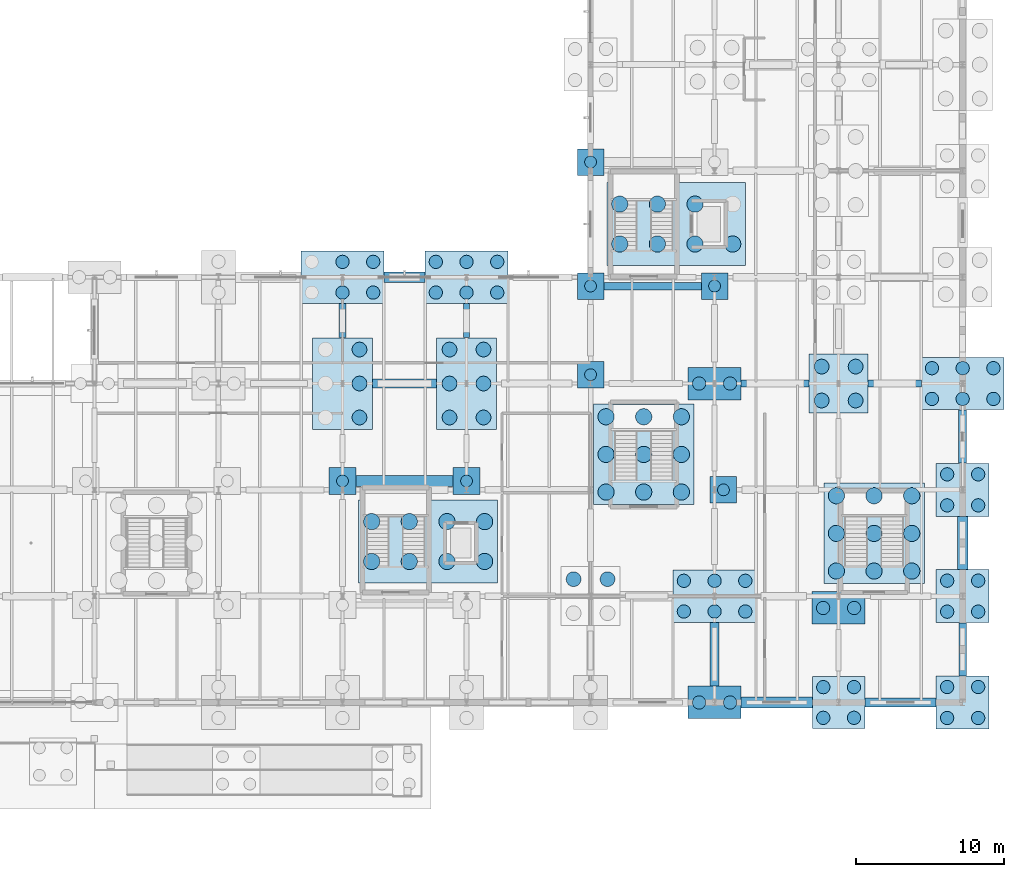
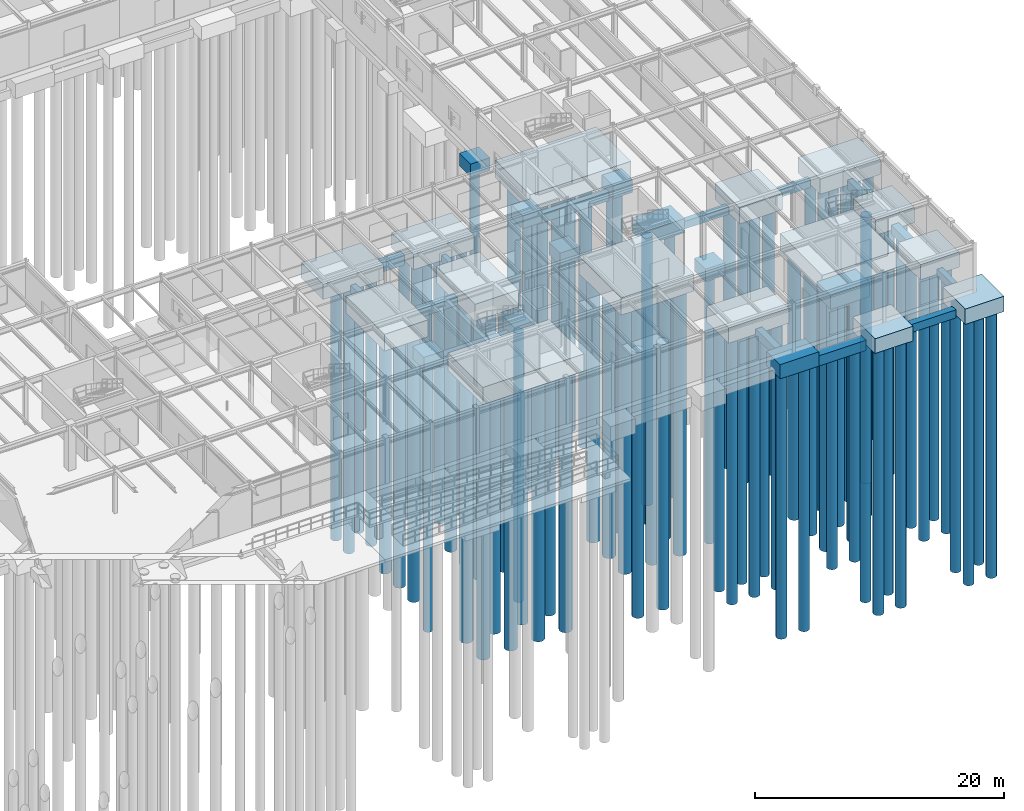
# One storey, part 6 of 93: 99 piles, 39 footings.
"""IFC4 building model written with IfcOpenShell, lengths in metres."""

from ifc_helpers import new_model, si_unit, derived_unit, direction, frame, origin, origin_2d, place, context, subcontext, project, spatial, rectangle, circle, extrude, material, material_profile, profile_set, type_object, element, save


model = new_model("IFC4")

# Units and contexts
model_context = context("Model", 3, precision=1e-05, world=origin(), true_north=direction((0.0, 1.0)))
body_context = subcontext(model_context, "Body", "Model", "MODEL_VIEW")
ifc_project = project(units=[si_unit("LENGTHUNIT", "METRE"), si_unit("AREAUNIT", "SQUARE_METRE"), si_unit("VOLUMEUNIT", "CUBIC_METRE"), si_unit("PLANEANGLEUNIT", "RADIAN"), si_unit("MASSUNIT", "GRAM", prefix="KILO"), derived_unit("THERMALTRANSMITTANCEUNIT", [(si_unit("MASSUNIT", "GRAM", prefix="KILO"), 1), (si_unit("TIMEUNIT", "SECOND"), -3), (si_unit("THERMODYNAMICTEMPERATUREUNIT", "KELVIN"), -1)])], contexts=[model_context])

# Site, building, storey
site_placement = place(None, origin())
site = spatial("IfcSite", under=ifc_project, at=site_placement, CompositionType="ELEMENT")
building_placement = place(site_placement, origin())
building = spatial("IfcBuilding", under=site, at=building_placement, Name="Kharveza Railside Sports Centre", CompositionType="ELEMENT")
storey_placement = place(building_placement, origin())
storey = spatial("IfcBuildingStorey", under=building, at=storey_placement, Name="L00", CompositionType="ELEMENT", Elevation=0.0)

# Footings
ifc_material = material(Name="Concrete C35/45", Category="concrete")
ifc_material_profile_1 = material_profile(ifc_material, rectangle(XDim=0.60009765625, YDim=0.800048828125, at=origin_2d()), Name="GB 600x800")
ifc_profile_set_1 = profile_set([ifc_material_profile_1], Name="Concrete C35/45")
footing_type_1 = type_object("IfcFootingType", Name="FT-GB01", PredefinedType="FOOTING_BEAM", material=ifc_profile_set_1)
footing_1_placement = place(storey_placement, frame((128.028076171875, 28.800048828125, -1.800048828125), z_axis=(1.0, 0.0, 0.0), x_axis=(0.0, 1.0, 0.0)))
element("IfcFooting", 1, at=footing_1_placement, inside=storey, type_object=footing_type_1, Name="GB-EW-081", PredefinedType="FOOTING_BEAM", context=body_context, shape_type="SweptSolid", body=[
    extrude(rectangle(XDim=0.60009765625, YDim=0.800048828125, at=origin_2d()), origin(), (0.0, 0.0, 1.0), 4.343994140625),
])
footing_2_placement = place(storey_placement, frame((151.199951171875, 8.302978515625, -1.800048828125), z_axis=(0.0, 1.0, 0.0), x_axis=(-1.0, 0.0, 0.0)))
element("IfcFooting", 2, at=footing_2_placement, inside=storey, type_object=footing_type_1, Name="GB-NS-111", PredefinedType="FOOTING_BEAM", context=body_context, shape_type="SweptSolid", body=[
    extrude(rectangle(XDim=0.60009765625, YDim=0.800048828125, at=origin_2d()), origin(), (0.0, 0.0, 1.0), 4.319091796875),
])
footing_3_placement = place(storey_placement, frame((161.3779296875, 7.199951171875, -1.800048828125), z_axis=(1.0, 0.0, 0.0), x_axis=(0.0, 1.0, 0.0)))
element("IfcFooting", 3, at=footing_3_placement, inside=storey, type_object=footing_type_1, Name="GB-EW-121", PredefinedType="FOOTING_BEAM", context=body_context, shape_type="SweptSolid", body=[
    extrude(rectangle(XDim=0.60009765625, YDim=0.800048828125, at=origin_2d()), origin(), (0.0, 0.0, 1.0), 4.819091796875),
])
ifc_material_profile_2 = material_profile(ifc_material, rectangle(XDim=0.5, YDim=0.75, at=origin_2d()), Name="GB 500x750")
ifc_profile_set_2 = profile_set([ifc_material_profile_2], Name="Concrete C35/45")
footing_type_2 = type_object("IfcFootingType", Name="FT-GB02", PredefinedType="FOOTING_BEAM", material=ifc_profile_set_2)
footing_4_placement = place(storey_placement, frame((126.0, 31.903076171875, -1.77490234375), z_axis=(0.0, 1.0, 0.0), x_axis=(-1.0, 0.0, 0.0)))
element("IfcFooting", 4, at=footing_4_placement, inside=storey, type_object=footing_type_2, Name="GB-NS-082", PredefinedType="FOOTING_BEAM", context=body_context, shape_type="SweptSolid", body=[
    extrude(rectangle(XDim=0.5, YDim=0.75, at=origin_2d()), origin(), (0.0, 0.0, 1.0), 2.31884765625),
])
footing_5_placement = place(storey_placement, frame((153.0029296875, 28.800048828125, -1.77490234375), z_axis=(1.0, 0.0, 0.0), x_axis=(0.0, 1.0, 0.0)))
element("IfcFooting", 5, at=footing_5_placement, inside=storey, type_object=footing_type_2, Name="GB-EW-112", PredefinedType="FOOTING_BEAM", context=body_context, shape_type="SweptSolid", body=[
    extrude(rectangle(XDim=0.5, YDim=0.75, at=origin_2d()), origin(), (0.0, 0.0, 1.0), 4.593994140625),
])
for number, where, z_axis, x_axis, name in (
    (6, (161.60302734375, 28.800048828125, -1.77490234375), (1.0, 0.0, 0.0), (0.0, 1.0, 0.0), "GB-EW-122"),
    (7, (168.0, 9.0029296875, -1.77490234375), (0.0, 1.0, 0.0), (-1.0, 0.0, 0.0), "GB-NS-142"),
):
    element("IfcFooting", number, at=place(storey_placement, frame(where, z_axis=z_axis, x_axis=x_axis)), inside=storey, type_object=footing_type_2, Name=name, PredefinedType="FOOTING_BEAM", context=body_context, shape_type="SweptSolid", body=[
        extrude(rectangle(XDim=0.5, YDim=0.75, at=origin_2d()), origin(), (0.0, 0.0, 1.0), 3.593994140625),
    ])
ifc_material_profile_3 = material_profile(ifc_material, rectangle(XDim=0.699951171875, YDim=0.89990234375, at=origin_2d()), Name="GB 700x900")
ifc_profile_set_3 = profile_set([ifc_material_profile_3], Name="Concrete C35/45")
footing_type_3 = type_object("IfcFootingType", Name="FT-GB03", PredefinedType="FOOTING_BEAM", material=ifc_profile_set_3)
footing_6_placement = place(storey_placement, frame((128.802978515625, 36.0, -1.85009765625), z_axis=(1.0, 0.0, 0.0), x_axis=(0.0, 1.0, 0.0)))
element("IfcFooting", 8, at=footing_6_placement, inside=storey, type_object=footing_type_3, Name="GB-EW-083", PredefinedType="FOOTING_BEAM", context=body_context, shape_type="SweptSolid", body=[
    extrude(rectangle(XDim=0.699951171875, YDim=0.89990234375, at=origin_2d()), origin(), (0.0, 0.0, 1.0), 2.7939453125),
])
footing_7_placement = place(storey_placement, frame((168.0, 16.202880859375, -1.85009765625), z_axis=(0.0, 1.0, 0.0), x_axis=(-1.0, 0.0, 0.0)))
element("IfcFooting", 9, at=footing_7_placement, inside=storey, type_object=footing_type_3, Name="GB-NS-143", PredefinedType="FOOTING_BEAM", context=body_context, shape_type="SweptSolid", body=[
    extrude(rectangle(XDim=0.699951171875, YDim=0.89990234375, at=origin_2d()), origin(), (0.0, 0.0, 1.0), 3.59423828125),
])
ifc_material_profile_4 = material_profile(ifc_material, rectangle(XDim=0.550048828125, YDim=0.85009765625, at=origin_2d()), Name="GB 550x850")
ifc_profile_set_4 = profile_set([ifc_material_profile_4], Name="Concrete C35/45")
footing_type_4 = type_object("IfcFootingType", Name="FT-GB04", PredefinedType="FOOTING_BEAM", material=ifc_profile_set_4)
footing_8_placement = place(storey_placement, frame((168.0, 23.403076171875, -1.824951171875), z_axis=(0.0, 1.0, 0.0), x_axis=(-1.0, 0.0, 0.0)))
element("IfcFooting", 10, at=footing_8_placement, inside=storey, type_object=footing_type_4, Name="GB-NS-144", PredefinedType="FOOTING_BEAM", context=body_context, shape_type="SweptSolid", body=[
    extrude(rectangle(XDim=0.550048828125, YDim=0.85009765625, at=origin_2d()), origin(), (0.0, 0.0, 1.0), 3.618896484375),
])
ifc_material_profile_5 = material_profile(ifc_material, rectangle(XDim=0.5, YDim=0.85009765625, at=origin_2d()), Name="GB 500x850")
ifc_profile_set_5 = profile_set([ifc_material_profile_5], Name="Concrete C35/45")
footing_type_5 = type_object("IfcFootingType", Name="FT-GB07", PredefinedType="FOOTING_BEAM", material=ifc_profile_set_5)
footing_9_placement = place(storey_placement, frame((143.702880859375, 35.39990234375, -1.824951171875), z_axis=(1.0, 0.0, 0.0), x_axis=(0.0, 1.0, 0.0)))
element("IfcFooting", 11, at=footing_9_placement, inside=storey, type_object=footing_type_5, Name="GB-EW-097", PredefinedType="FOOTING_BEAM", context=body_context, shape_type="SweptSolid", body=[
    extrude(rectangle(XDim=0.5, YDim=0.85009765625, at=origin_2d()), origin(), (0.0, 0.0, 1.0), 6.59423828125),
])
ifc_material_profile_6 = material_profile(ifc_material, rectangle(XDim=0.39990234375, YDim=0.64990234375, at=origin_2d()), Name="GB 400x650")
ifc_profile_set_6 = profile_set([ifc_material_profile_6], Name="Concrete C35/45")
footing_type_6 = type_object("IfcFootingType", Name="FT-GB09", PredefinedType="FOOTING_BEAM", material=ifc_profile_set_6)
footing_10_placement = place(storey_placement, frame((134.39990234375, 31.903076171875, -1.72509765625), z_axis=(0.0, 1.0, 0.0), x_axis=(-1.0, 0.0, 0.0)))
element("IfcFooting", 12, at=footing_10_placement, inside=storey, type_object=footing_type_6, Name="GB-NS-089", PredefinedType="FOOTING_BEAM", context=body_context, shape_type="SweptSolid", body=[
    extrude(rectangle(XDim=0.39990234375, YDim=0.64990234375, at=origin_2d()), origin(), (0.0, 0.0, 1.0), 2.31884765625),
])
ifc_material_profile_7 = material_profile(ifc_material, rectangle(XDim=0.75, YDim=1.0, at=origin_2d()), Name="GB 750x1000")
ifc_profile_set_7 = profile_set([ifc_material_profile_7], Name="Concrete C35/45")
footing_type_7 = type_object("IfcFootingType", Name="FT-GB10", PredefinedType="FOOTING_BEAM", material=ifc_profile_set_7)
footing_11_placement = place(storey_placement, frame((126.903076171875, 22.199951171875, -1.89990234375), z_axis=(1.0, 0.0, 0.0), x_axis=(0.0, 1.0, 0.0)))
element("IfcFooting", 13, at=footing_11_placement, inside=storey, type_object=footing_type_7, Name="GB-EW-080", PredefinedType="FOOTING_BEAM", context=body_context, shape_type="SweptSolid", body=[
    extrude(rectangle(XDim=0.75, YDim=1.0, at=origin_2d()), origin(), (0.0, 0.0, 1.0), 6.593994140625),
])
footing_12_placement = place(storey_placement, frame((153.0029296875, 7.199951171875, -1.89990234375), z_axis=(1.0, 0.0, 0.0), x_axis=(0.0, 1.0, 0.0)))
element("IfcFooting", 14, at=footing_12_placement, inside=storey, type_object=footing_type_7, Name="GB-EW-110", PredefinedType="FOOTING_BEAM", context=body_context, shape_type="SweptSolid", body=[
    extrude(rectangle(XDim=0.75, YDim=1.0, at=origin_2d()), origin(), (0.0, 0.0, 1.0), 4.819091796875),
])
footing_type_8 = type_object("IfcFootingType", Name="FT-PC02", PredefinedType="PILE_CAP", material=ifc_material)
for number, where, z_axis, x_axis, name in (
    (15, (151.199951171875, 7.199951171875, -1.820068359375), (0.0, 0.0, 1.0), (1.0, 0.0, 0.0), "FCAP-GRD-102"),
    (16, (151.199951171875, 28.800048828125, -1.820068359375), (0.0, 0.0, 1.0), (1.0, 0.0, 0.0), "FCAP-GRD-105"),
    (17, (159.60009765625, 13.60009765625, -1.820068359375), (0.0, 0.0, 1.0), (1.0, 0.0, 0.0), "FCAP-GRD-118"),
):
    element("IfcFooting", number, at=place(storey_placement, frame(where, z_axis=z_axis, x_axis=x_axis)), inside=storey, type_object=footing_type_8, Name=name, PredefinedType="PILE_CAP", context=body_context, shape_type="SweptSolid", body=[
        extrude(rectangle(XDim=3.60009765625, YDim=2.199951171875, at=origin_2d()), origin(), (0.0, 0.0, 1.0), 1.39990234375),
    ])
footing_type_9 = type_object("IfcFootingType", Name="FT-PC04", PredefinedType="PILE_CAP", material=ifc_material)
for number, where, z_axis, x_axis, name in (
    (18, (168.0, 7.199951171875, -1.919921875), (0.0, 0.0, 1.0), (1.0, 0.0, 0.0), "FCAP-GRD-132"),
    (19, (168.0, 14.39990234375, -1.919921875), (0.0, 0.0, 1.0), (1.0, 0.0, 0.0), "FCAP-GRD-133"),
    (20, (168.0, 21.60009765625, -1.919921875), (0.0, 0.0, 1.0), (1.0, 0.0, 0.0), "FCAP-GRD-134"),
):
    element("IfcFooting", number, at=place(storey_placement, frame(where, z_axis=z_axis, x_axis=x_axis)), inside=storey, type_object=footing_type_9, Name=name, PredefinedType="PILE_CAP", context=body_context, shape_type="SweptSolid", body=[
        extrude(rectangle(XDim=3.60009765625, YDim=3.60009765625, at=origin_2d()), origin(), (0.0, 0.0, 1.0), 1.5),
    ])
footing_type_10 = type_object("IfcFootingType", Name="FT-PC05", PredefinedType="PILE_CAP", material=ifc_material)
footing_13_placement = place(storey_placement, frame((159.60009765625, 28.800048828125, -2.02001953125), z_axis=(0.0, 0.0, 1.0), x_axis=(1.0, 0.0, 0.0)))
element("IfcFooting", 21, at=footing_13_placement, inside=storey, type_object=footing_type_10, Name="FCAP-GRD-120", PredefinedType="PILE_CAP", context=body_context, shape_type="SweptSolid", body=[
    extrude(rectangle(XDim=4.0, YDim=4.0, at=origin_2d()), origin(), (0.0, 0.0, 1.0), 1.60009765625),
])
footing_type_11 = type_object("IfcFootingType", Name="FT-PC07", PredefinedType="PILE_CAP", material=ifc_material)
for number, where, z_axis, x_axis, name in (
    (22, (126.0, 28.800048828125, -2.070068359375), (0.0, 0.0, 1.0), (1.0, 0.0, 0.0), "FCAP-GRD-074"),
    (23, (134.39990234375, 28.800048828125, -2.070068359375), (0.0, 0.0, 1.0), (1.0, 0.0, 0.0), "FCAP-GRD-082"),
):
    element("IfcFooting", number, at=place(storey_placement, frame(where, z_axis=z_axis, x_axis=x_axis)), inside=storey, type_object=footing_type_11, Name=name, PredefinedType="PILE_CAP", context=body_context, shape_type="SweptSolid", body=[
        extrude(rectangle(XDim=4.050048828125, YDim=6.199951171875, at=origin_2d()), origin(), (0.0, 0.0, 1.0), 1.64990234375),
    ])
footing_type_12 = type_object("IfcFootingType", Name="FT-PC08", PredefinedType="PILE_CAP", material=ifc_material)
for number, where, z_axis, x_axis, name in (
    (24, (146.39990234375, 24.0, -2.1201171875), (0.0, 0.0, 1.0), (1.0, 0.0, 0.0), "FCAP-CORE-05"),
    (25, (162.0, 18.64990234375, -2.1201171875), (0.0, 0.0, 1.0), (1.0, 0.0, 0.0), "FCAP-CORE-11"),
):
    element("IfcFooting", number, at=place(storey_placement, frame(where, z_axis=z_axis, x_axis=x_axis)), inside=storey, type_object=footing_type_12, Name=name, PredefinedType="PILE_CAP", context=body_context, shape_type="SweptSolid", body=[
        extrude(rectangle(XDim=6.800048828125, YDim=6.800048828125, at=origin_2d()), origin(), (0.0, 0.0, 1.0), 1.699951171875),
    ])
footing_type_13 = type_object("IfcFootingType", Name="FT-PC09", PredefinedType="PILE_CAP", material=ifc_material)
for number, where, z_axis, x_axis, name in (
    (26, (148.60009765625, 39.60009765625, -2.1201171875), (0.0, 0.0, 1.0), (1.0, 0.0, 0.0), "FCAP-CORE-01"),
    (27, (131.800048828125, 18.10009765625, -2.1201171875), (0.0, 0.0, 1.0), (1.0, 0.0, 0.0), "FCAP-CORE-03"),
):
    element("IfcFooting", number, at=place(storey_placement, frame(where, z_axis=z_axis, x_axis=x_axis)), inside=storey, type_object=footing_type_13, Name=name, PredefinedType="PILE_CAP", context=body_context, shape_type="SweptSolid", body=[
        extrude(rectangle(XDim=9.39990234375, YDim=5.60009765625, at=origin_2d()), origin(), (0.0, 0.0, 1.0), 1.699951171875),
    ])
footing_type_14 = type_object("IfcFootingType", Name="FT-PC11", PredefinedType="PILE_CAP", material=ifc_material)
footing_14_placement = place(storey_placement, frame((159.60009765625, 7.199951171875, -1.8701171875), z_axis=(0.0, 0.0, 1.0), x_axis=(1.0, 0.0, 0.0)))
element("IfcFooting", 28, at=footing_14_placement, inside=storey, type_object=footing_type_14, Name="FCAP-GRD-117", PredefinedType="PILE_CAP", context=body_context, shape_type="SweptSolid", body=[
    extrude(rectangle(XDim=3.550048828125, YDim=3.550048828125, at=origin_2d()), origin(), (0.0, 0.0, 1.0), 1.449951171875),
])
footing_type_15 = type_object("IfcFootingType", Name="FT-PC12", PredefinedType="PILE_CAP", material=ifc_material)
for number, where, z_axis, x_axis, name in (
    (29, (126.0, 36.0, -1.919921875), (0.0, 0.0, 1.0), (1.0, 0.0, 0.0), "FCAP-GRD-075"),
    (30, (134.39990234375, 36.0, -1.919921875), (0.0, 0.0, 1.0), (1.0, 0.0, 0.0), "FCAP-GRD-083"),
    (31, (151.199951171875, 14.39990234375, -1.919921875), (0.0, 0.0, 1.0), (1.0, 0.0, 0.0), "FCAP-GRD-103"),
    (32, (168.0, 28.800048828125, -1.919921875), (0.0, 0.0, 1.0), (1.0, 0.0, 0.0), "FCAP-GRD-135"),
):
    element("IfcFooting", number, at=place(storey_placement, frame(where, z_axis=z_axis, x_axis=x_axis)), inside=storey, type_object=footing_type_15, Name=name, PredefinedType="PILE_CAP", context=body_context, shape_type="SweptSolid", body=[
        extrude(rectangle(XDim=5.60009765625, YDim=3.550048828125, at=origin_2d()), origin(), (0.0, 0.0, 1.0), 1.5),
    ])
footing_type_16 = type_object("IfcFootingType", Name="FT-PC13", PredefinedType="PILE_CAP", material=ifc_material)
for number, where, z_axis, x_axis, name in (
    (33, (126.0, 22.199951171875, -1.669921875), (0.0, 0.0, 1.0), (1.0, 0.0, 0.0), "FCAP-GRD-073"),
    (34, (134.39990234375, 22.199951171875, -1.669921875), (0.0, 0.0, 1.0), (1.0, 0.0, 0.0), "FCAP-GRD-081"),
    (35, (142.800048828125, 29.39990234375, -1.669921875), (0.0, 0.0, 1.0), (1.0, 0.0, 0.0), "FCAP-GRD-090"),
    (36, (142.800048828125, 35.39990234375, -1.669921875), (0.0, 0.0, 1.0), (1.0, 0.0, 0.0), "FCAP-GRD-091"),
    (37, (142.800048828125, 43.800048828125, -1.669921875), (0.0, 0.0, 1.0), (1.0, 0.0, 0.0), "FCAP-GRD-092"),
    (38, (151.800048828125, 21.60009765625, -1.669921875), (0.0, 0.0, 1.0), (1.0, 0.0, 0.0), "FCAP-GRD-104"),
    (39, (151.199951171875, 35.39990234375, -1.669921875), (0.0, 0.0, 1.0), (1.0, 0.0, 0.0), "FCAP-GRD-106"),
):
    element("IfcFooting", number, at=place(storey_placement, frame(where, z_axis=z_axis, x_axis=x_axis)), inside=storey, type_object=footing_type_16, Name=name, PredefinedType="PILE_CAP", context=body_context, shape_type="SweptSolid", body=[
        extrude(rectangle(XDim=1.800048828125, YDim=1.800048828125, at=origin_2d()), origin(), (0.0, 0.0, 1.0), 1.25),
    ])

# Piles
ifc_material_profile_8 = material_profile(ifc_material, circle(Radius=0.5, at=origin_2d()), Name="PILE D1000")
ifc_profile_set_8 = profile_set([ifc_material_profile_8], Name="Concrete C35/45")
pile_type_1 = type_object("IfcPileType", Name="PL-B1000", PredefinedType="BORED", material=ifc_profile_set_8)
for number, where, z_axis, x_axis, name in (
    (40, (127.14990234375, 26.5, -1.969970703125), (0.0, 0.0, -1.0), (1.0, 0.0, 0.0), "FCAP-GRD-074-P02-PL2"),
    (41, (127.14990234375, 28.800048828125, -1.969970703125), (0.0, 0.0, -1.0), (1.0, 0.0, 0.0), "FCAP-GRD-074-P02-PL4"),
    (42, (127.14990234375, 31.10009765625, -1.969970703125), (0.0, 0.0, -1.0), (1.0, 0.0, 0.0), "FCAP-GRD-074-P02-PL6"),
    (43, (133.25, 26.5, -1.969970703125), (0.0, 0.0, -1.0), (1.0, 0.0, 0.0), "FCAP-GRD-082-P02-PL1"),
    (44, (135.550048828125, 26.5, -1.969970703125), (0.0, 0.0, -1.0), (1.0, 0.0, 0.0), "FCAP-GRD-082-P02-PL2"),
    (45, (133.25, 28.800048828125, -1.969970703125), (0.0, 0.0, -1.0), (1.0, 0.0, 0.0), "FCAP-GRD-082-P02-PL3"),
    (46, (135.550048828125, 28.800048828125, -1.969970703125), (0.0, 0.0, -1.0), (1.0, 0.0, 0.0), "FCAP-GRD-082-P02-PL4"),
    (47, (133.25, 31.10009765625, -1.969970703125), (0.0, 0.0, -1.0), (1.0, 0.0, 0.0), "FCAP-GRD-082-P02-PL5"),
    (48, (135.550048828125, 31.10009765625, -1.969970703125), (0.0, 0.0, -1.0), (1.0, 0.0, 0.0), "FCAP-GRD-082-P02-PL6"),
):
    element("IfcPile", number, at=place(storey_placement, frame(where, z_axis=z_axis, x_axis=x_axis)), inside=storey, type_object=pile_type_1, Name=name, PredefinedType="BORED", context=body_context, shape_type="SweptSolid", body=[
        extrude(circle(Radius=0.5, at=origin_2d()), origin(), (0.0, 0.0, 1.0), 26.030029296875),
    ])
for number, where, z_axis, x_axis, name in (
    (49, (141.64990234375, 15.550048828125, -1.919921875), (0.0, 0.0, -1.0), (1.0, 0.0, 0.0), "FCAP-GRD-088-P02-PL3"),
    (50, (143.949951171875, 15.550048828125, -1.919921875), (0.0, 0.0, -1.0), (1.0, 0.0, 0.0), "FCAP-GRD-088-P02-PL4"),
    (51, (158.449951171875, 27.64990234375, -1.919921875), (0.0, 0.0, -1.0), (1.0, 0.0, 0.0), "FCAP-GRD-120-P02-PL1"),
    (52, (160.75, 27.64990234375, -1.919921875), (0.0, 0.0, -1.0), (1.0, 0.0, 0.0), "FCAP-GRD-120-P02-PL2"),
    (53, (158.449951171875, 29.949951171875, -1.919921875), (0.0, 0.0, -1.0), (1.0, 0.0, 0.0), "FCAP-GRD-120-P02-PL3"),
    (54, (160.75, 29.949951171875, -1.919921875), (0.0, 0.0, -1.0), (1.0, 0.0, 0.0), "FCAP-GRD-120-P02-PL4"),
):
    element("IfcPile", number, at=place(storey_placement, frame(where, z_axis=z_axis, x_axis=x_axis)), inside=storey, type_object=pile_type_1, Name=name, PredefinedType="BORED", context=body_context, shape_type="SweptSolid", body=[
        extrude(circle(Radius=0.5, at=origin_2d()), origin(), (0.0, 0.0, 1.0), 26.080078125),
    ])
ifc_material_profile_9 = material_profile(ifc_material, circle(Radius=0.550048828125, at=origin_2d()), Name="PILE D1100")
ifc_profile_set_9 = profile_set([ifc_material_profile_9], Name="Concrete C35/45")
pile_type_2 = type_object("IfcPileType", Name="PL-B1100", PredefinedType="BORED", material=ifc_profile_set_9)
for number, where, z_axis, x_axis, name in (
    (55, (144.77490234375, 38.25, -2.02001953125), (0.0, 0.0, -1.0), (1.0, 0.0, 0.0), "FCAP-CORE-01-P03-PL1"),
    (56, (147.324951171875, 38.25, -2.02001953125), (0.0, 0.0, -1.0), (1.0, 0.0, 0.0), "FCAP-CORE-01-P03-PL2"),
    (57, (149.875, 38.25, -2.02001953125), (0.0, 0.0, -1.0), (1.0, 0.0, 0.0), "FCAP-CORE-01-P03-PL3"),
    (58, (152.425048828125, 38.25, -2.02001953125), (0.0, 0.0, -1.0), (1.0, 0.0, 0.0), "FCAP-CORE-01-P03-PL4"),
    (59, (144.77490234375, 40.949951171875, -2.02001953125), (0.0, 0.0, -1.0), (1.0, 0.0, 0.0), "FCAP-CORE-01-P03-PL5"),
    (60, (147.324951171875, 40.949951171875, -2.02001953125), (0.0, 0.0, -1.0), (1.0, 0.0, 0.0), "FCAP-CORE-01-P03-PL6"),
    (61, (149.875, 40.949951171875, -2.02001953125), (0.0, 0.0, -1.0), (1.0, 0.0, 0.0), "FCAP-CORE-01-P03-PL7"),
    (62, (127.97509765625, 16.75, -2.02001953125), (0.0, 0.0, -1.0), (1.0, 0.0, 0.0), "FCAP-CORE-03-P03-PL1"),
    (63, (130.52490234375, 16.75, -2.02001953125), (0.0, 0.0, -1.0), (1.0, 0.0, 0.0), "FCAP-CORE-03-P03-PL2"),
    (64, (133.074951171875, 16.75, -2.02001953125), (0.0, 0.0, -1.0), (1.0, 0.0, 0.0), "FCAP-CORE-03-P03-PL3"),
    (65, (135.625, 16.75, -2.02001953125), (0.0, 0.0, -1.0), (1.0, 0.0, 0.0), "FCAP-CORE-03-P03-PL4"),
    (66, (127.97509765625, 19.449951171875, -2.02001953125), (0.0, 0.0, -1.0), (1.0, 0.0, 0.0), "FCAP-CORE-03-P03-PL5"),
    (67, (130.52490234375, 19.449951171875, -2.02001953125), (0.0, 0.0, -1.0), (1.0, 0.0, 0.0), "FCAP-CORE-03-P03-PL6"),
    (68, (133.074951171875, 19.449951171875, -2.02001953125), (0.0, 0.0, -1.0), (1.0, 0.0, 0.0), "FCAP-CORE-03-P03-PL7"),
    (69, (135.625, 19.449951171875, -2.02001953125), (0.0, 0.0, -1.0), (1.0, 0.0, 0.0), "FCAP-CORE-03-P03-PL8"),
    (70, (143.85009765625, 21.449951171875, -2.02001953125), (0.0, 0.0, -1.0), (1.0, 0.0, 0.0), "FCAP-CORE-05-P03-PL1"),
    (71, (146.39990234375, 21.449951171875, -2.02001953125), (0.0, 0.0, -1.0), (1.0, 0.0, 0.0), "FCAP-CORE-05-P03-PL2"),
    (72, (148.949951171875, 21.449951171875, -2.02001953125), (0.0, 0.0, -1.0), (1.0, 0.0, 0.0), "FCAP-CORE-05-P03-PL3"),
    (73, (143.85009765625, 24.0, -2.02001953125), (0.0, 0.0, -1.0), (1.0, 0.0, 0.0), "FCAP-CORE-05-P03-PL4"),
    (74, (146.39990234375, 24.0, -2.02001953125), (0.0, 0.0, -1.0), (1.0, 0.0, 0.0), "FCAP-CORE-05-P03-PL5"),
    (75, (148.949951171875, 24.0, -2.02001953125), (0.0, 0.0, -1.0), (1.0, 0.0, 0.0), "FCAP-CORE-05-P03-PL6"),
    (76, (143.85009765625, 26.550048828125, -2.02001953125), (0.0, 0.0, -1.0), (1.0, 0.0, 0.0), "FCAP-CORE-05-P03-PL7"),
    (77, (146.39990234375, 26.550048828125, -2.02001953125), (0.0, 0.0, -1.0), (1.0, 0.0, 0.0), "FCAP-CORE-05-P03-PL8"),
    (78, (148.949951171875, 26.550048828125, -2.02001953125), (0.0, 0.0, -1.0), (1.0, 0.0, 0.0), "FCAP-CORE-05-P03-PL9"),
    (79, (159.449951171875, 16.10009765625, -2.02001953125), (0.0, 0.0, -1.0), (1.0, 0.0, 0.0), "FCAP-CORE-11-P03-PL1"),
    (80, (162.0, 16.10009765625, -2.02001953125), (0.0, 0.0, -1.0), (1.0, 0.0, 0.0), "FCAP-CORE-11-P03-PL2"),
    (81, (164.550048828125, 16.10009765625, -2.02001953125), (0.0, 0.0, -1.0), (1.0, 0.0, 0.0), "FCAP-CORE-11-P03-PL3"),
    (82, (159.449951171875, 18.64990234375, -2.02001953125), (0.0, 0.0, -1.0), (1.0, 0.0, 0.0), "FCAP-CORE-11-P03-PL4"),
    (83, (162.0, 18.64990234375, -2.02001953125), (0.0, 0.0, -1.0), (1.0, 0.0, 0.0), "FCAP-CORE-11-P03-PL5"),
    (84, (164.550048828125, 18.64990234375, -2.02001953125), (0.0, 0.0, -1.0), (1.0, 0.0, 0.0), "FCAP-CORE-11-P03-PL6"),
    (85, (159.449951171875, 21.199951171875, -2.02001953125), (0.0, 0.0, -1.0), (1.0, 0.0, 0.0), "FCAP-CORE-11-P03-PL7"),
    (86, (162.0, 21.199951171875, -2.02001953125), (0.0, 0.0, -1.0), (1.0, 0.0, 0.0), "FCAP-CORE-11-P03-PL8"),
    (87, (164.550048828125, 21.199951171875, -2.02001953125), (0.0, 0.0, -1.0), (1.0, 0.0, 0.0), "FCAP-CORE-11-P03-PL9"),
):
    element("IfcPile", number, at=place(storey_placement, frame(where, z_axis=z_axis, x_axis=x_axis)), inside=storey, type_object=pile_type_2, Name=name, PredefinedType="BORED", context=body_context, shape_type="SweptSolid", body=[
        extrude(circle(Radius=0.550048828125, at=origin_2d()), origin(), (0.0, 0.0, 1.0), 25.97998046875),
    ])
ifc_material_profile_10 = material_profile(ifc_material, circle(Radius=0.39990234375, at=origin_2d()), Name="PILE D800")
ifc_profile_set_10 = profile_set([ifc_material_profile_10], Name="Concrete C35/45")
pile_type_3 = type_object("IfcPileType", Name="PL-B800", PredefinedType="BORED", material=ifc_profile_set_10)
for number, where, z_axis, x_axis, name in (
    (88, (126.0, 22.199951171875, -1.570068359375), (0.0, 0.0, -1.0), (1.0, 0.0, 0.0), "FCAP-GRD-073-P04-PL1"),
    (89, (134.39990234375, 22.199951171875, -1.570068359375), (0.0, 0.0, -1.0), (1.0, 0.0, 0.0), "FCAP-GRD-081-P04-PL1"),
    (90, (142.800048828125, 29.39990234375, -1.570068359375), (0.0, 0.0, -1.0), (1.0, 0.0, 0.0), "FCAP-GRD-090-P04-PL1"),
    (91, (142.800048828125, 35.39990234375, -1.570068359375), (0.0, 0.0, -1.0), (1.0, 0.0, 0.0), "FCAP-GRD-091-P04-PL1"),
    (92, (142.800048828125, 43.800048828125, -1.570068359375), (0.0, 0.0, -1.0), (1.0, 0.0, 0.0), "FCAP-GRD-092-P04-PL1"),
    (93, (151.800048828125, 21.60009765625, -1.570068359375), (0.0, 0.0, -1.0), (1.0, 0.0, 0.0), "FCAP-GRD-104-P04-PL1"),
    (94, (151.199951171875, 35.39990234375, -1.570068359375), (0.0, 0.0, -1.0), (1.0, 0.0, 0.0), "FCAP-GRD-106-P04-PL1"),
):
    element("IfcPile", number, at=place(storey_placement, frame(where, z_axis=z_axis, x_axis=x_axis)), inside=storey, type_object=pile_type_3, Name=name, PredefinedType="BORED", context=body_context, shape_type="SweptSolid", body=[
        extrude(circle(Radius=0.39990234375, at=origin_2d()), origin(), (0.0, 0.0, 1.0), 26.429931640625),
    ])
ifc_material_profile_11 = material_profile(ifc_material, circle(Radius=0.449951171875, at=origin_2d()), Name="PILE D900")
ifc_profile_set_11 = profile_set([ifc_material_profile_11], Name="Concrete C35/45")
pile_type_4 = type_object("IfcPileType", Name="PL-B900", PredefinedType="BORED", material=ifc_profile_set_11)
for number, where, z_axis, x_axis, name in (
    (95, (126.0, 34.9599609375, -1.820068359375), (0.0, 0.0, -1.0), (1.0, 0.0, 0.0), "FCAP-GRD-075-P01-PL2"),
    (96, (128.080078125, 34.9599609375, -1.820068359375), (0.0, 0.0, -1.0), (1.0, 0.0, 0.0), "FCAP-GRD-075-P01-PL3"),
    (97, (126.0, 37.0400390625, -1.820068359375), (0.0, 0.0, -1.0), (1.0, 0.0, 0.0), "FCAP-GRD-075-P01-PL5"),
    (98, (128.080078125, 37.0400390625, -1.820068359375), (0.0, 0.0, -1.0), (1.0, 0.0, 0.0), "FCAP-GRD-075-P01-PL6"),
    (99, (132.320068359375, 34.9599609375, -1.820068359375), (0.0, 0.0, -1.0), (1.0, 0.0, 0.0), "FCAP-GRD-083-P01-PL1"),
    (100, (134.39990234375, 34.9599609375, -1.820068359375), (0.0, 0.0, -1.0), (1.0, 0.0, 0.0), "FCAP-GRD-083-P01-PL2"),
    (101, (136.47998046875, 34.9599609375, -1.820068359375), (0.0, 0.0, -1.0), (1.0, 0.0, 0.0), "FCAP-GRD-083-P01-PL3"),
    (102, (132.320068359375, 37.0400390625, -1.820068359375), (0.0, 0.0, -1.0), (1.0, 0.0, 0.0), "FCAP-GRD-083-P01-PL4"),
    (103, (134.39990234375, 37.0400390625, -1.820068359375), (0.0, 0.0, -1.0), (1.0, 0.0, 0.0), "FCAP-GRD-083-P01-PL5"),
    (104, (136.47998046875, 37.0400390625, -1.820068359375), (0.0, 0.0, -1.0), (1.0, 0.0, 0.0), "FCAP-GRD-083-P01-PL6"),
):
    element("IfcPile", number, at=place(storey_placement, frame(where, z_axis=z_axis, x_axis=x_axis)), inside=storey, type_object=pile_type_4, Name=name, PredefinedType="BORED", context=body_context, shape_type="SweptSolid", body=[
        extrude(circle(Radius=0.449951171875, at=origin_2d()), origin(), (0.0, 0.0, 1.0), 26.179931640625),
    ])
for number, where, z_axis, x_axis, name in (
    (105, (150.14990234375, 7.199951171875, -1.719970703125), (0.0, 0.0, -1.0), (1.0, 0.0, 0.0), "FCAP-GRD-102-P01-PL1"),
    (106, (152.25, 7.199951171875, -1.719970703125), (0.0, 0.0, -1.0), (1.0, 0.0, 0.0), "FCAP-GRD-102-P01-PL2"),
):
    element("IfcPile", number, at=place(storey_placement, frame(where, z_axis=z_axis, x_axis=x_axis)), inside=storey, type_object=pile_type_4, Name=name, PredefinedType="BORED", context=body_context, shape_type="SweptSolid", body=[
        extrude(circle(Radius=0.449951171875, at=origin_2d()), origin(), (0.0, 0.0, 1.0), 26.280029296875),
    ])
for number, where, z_axis, x_axis, name in (
    (107, (149.1201171875, 13.360107421875, -1.820068359375), (0.0, 0.0, -1.0), (1.0, 0.0, 0.0), "FCAP-GRD-103-P01-PL1"),
    (108, (151.199951171875, 13.360107421875, -1.820068359375), (0.0, 0.0, -1.0), (1.0, 0.0, 0.0), "FCAP-GRD-103-P01-PL2"),
    (109, (153.280029296875, 13.360107421875, -1.820068359375), (0.0, 0.0, -1.0), (1.0, 0.0, 0.0), "FCAP-GRD-103-P01-PL3"),
    (110, (149.1201171875, 15.43994140625, -1.820068359375), (0.0, 0.0, -1.0), (1.0, 0.0, 0.0), "FCAP-GRD-103-P01-PL4"),
    (111, (151.199951171875, 15.43994140625, -1.820068359375), (0.0, 0.0, -1.0), (1.0, 0.0, 0.0), "FCAP-GRD-103-P01-PL5"),
    (112, (153.280029296875, 15.43994140625, -1.820068359375), (0.0, 0.0, -1.0), (1.0, 0.0, 0.0), "FCAP-GRD-103-P01-PL6"),
):
    element("IfcPile", number, at=place(storey_placement, frame(where, z_axis=z_axis, x_axis=x_axis)), inside=storey, type_object=pile_type_4, Name=name, PredefinedType="BORED", context=body_context, shape_type="SweptSolid", body=[
        extrude(circle(Radius=0.449951171875, at=origin_2d()), origin(), (0.0, 0.0, 1.0), 26.179931640625),
    ])
for number, where, z_axis, x_axis, name in (
    (113, (150.14990234375, 28.800048828125, -1.719970703125), (0.0, 0.0, -1.0), (1.0, 0.0, 0.0), "FCAP-GRD-105-P01-PL1"),
    (114, (152.25, 28.800048828125, -1.719970703125), (0.0, 0.0, -1.0), (1.0, 0.0, 0.0), "FCAP-GRD-105-P01-PL2"),
):
    element("IfcPile", number, at=place(storey_placement, frame(where, z_axis=z_axis, x_axis=x_axis)), inside=storey, type_object=pile_type_4, Name=name, PredefinedType="BORED", context=body_context, shape_type="SweptSolid", body=[
        extrude(circle(Radius=0.449951171875, at=origin_2d()), origin(), (0.0, 0.0, 1.0), 26.280029296875),
    ])
for number, where, z_axis, x_axis, name in (
    (115, (158.56005859375, 6.159912109375, -1.77001953125), (0.0, 0.0, -1.0), (1.0, 0.0, 0.0), "FCAP-GRD-117-P01-PL1"),
    (116, (160.639892578125, 6.159912109375, -1.77001953125), (0.0, 0.0, -1.0), (1.0, 0.0, 0.0), "FCAP-GRD-117-P01-PL2"),
    (117, (158.56005859375, 8.239990234375, -1.77001953125), (0.0, 0.0, -1.0), (1.0, 0.0, 0.0), "FCAP-GRD-117-P01-PL3"),
    (118, (160.639892578125, 8.239990234375, -1.77001953125), (0.0, 0.0, -1.0), (1.0, 0.0, 0.0), "FCAP-GRD-117-P01-PL4"),
):
    element("IfcPile", number, at=place(storey_placement, frame(where, z_axis=z_axis, x_axis=x_axis)), inside=storey, type_object=pile_type_4, Name=name, PredefinedType="BORED", context=body_context, shape_type="SweptSolid", body=[
        extrude(circle(Radius=0.449951171875, at=origin_2d()), origin(), (0.0, 0.0, 1.0), 26.22998046875),
    ])
for number, where, z_axis, x_axis, name in (
    (119, (158.550048828125, 13.60009765625, -1.719970703125), (0.0, 0.0, -1.0), (1.0, 0.0, 0.0), "FCAP-GRD-118-P01-PL1"),
    (120, (160.64990234375, 13.60009765625, -1.719970703125), (0.0, 0.0, -1.0), (1.0, 0.0, 0.0), "FCAP-GRD-118-P01-PL2"),
):
    element("IfcPile", number, at=place(storey_placement, frame(where, z_axis=z_axis, x_axis=x_axis)), inside=storey, type_object=pile_type_4, Name=name, PredefinedType="BORED", context=body_context, shape_type="SweptSolid", body=[
        extrude(circle(Radius=0.449951171875, at=origin_2d()), origin(), (0.0, 0.0, 1.0), 26.280029296875),
    ])
for number, where, z_axis, x_axis, name in (
    (121, (166.949951171875, 6.14990234375, -1.820068359375), (0.0, 0.0, -1.0), (1.0, 0.0, 0.0), "FCAP-GRD-132-P01-PL1"),
    (122, (169.050048828125, 6.14990234375, -1.820068359375), (0.0, 0.0, -1.0), (1.0, 0.0, 0.0), "FCAP-GRD-132-P01-PL2"),
    (123, (166.949951171875, 8.25, -1.820068359375), (0.0, 0.0, -1.0), (1.0, 0.0, 0.0), "FCAP-GRD-132-P01-PL3"),
    (124, (169.050048828125, 8.25, -1.820068359375), (0.0, 0.0, -1.0), (1.0, 0.0, 0.0), "FCAP-GRD-132-P01-PL4"),
    (125, (166.949951171875, 13.35009765625, -1.820068359375), (0.0, 0.0, -1.0), (1.0, 0.0, 0.0), "FCAP-GRD-133-P01-PL1"),
    (126, (169.050048828125, 13.35009765625, -1.820068359375), (0.0, 0.0, -1.0), (1.0, 0.0, 0.0), "FCAP-GRD-133-P01-PL2"),
    (127, (166.949951171875, 15.449951171875, -1.820068359375), (0.0, 0.0, -1.0), (1.0, 0.0, 0.0), "FCAP-GRD-133-P01-PL3"),
    (128, (169.050048828125, 15.449951171875, -1.820068359375), (0.0, 0.0, -1.0), (1.0, 0.0, 0.0), "FCAP-GRD-133-P01-PL4"),
    (129, (166.949951171875, 20.550048828125, -1.820068359375), (0.0, 0.0, -1.0), (1.0, 0.0, 0.0), "FCAP-GRD-134-P01-PL1"),
    (130, (169.050048828125, 20.550048828125, -1.820068359375), (0.0, 0.0, -1.0), (1.0, 0.0, 0.0), "FCAP-GRD-134-P01-PL2"),
    (131, (166.949951171875, 22.64990234375, -1.820068359375), (0.0, 0.0, -1.0), (1.0, 0.0, 0.0), "FCAP-GRD-134-P01-PL3"),
    (132, (169.050048828125, 22.64990234375, -1.820068359375), (0.0, 0.0, -1.0), (1.0, 0.0, 0.0), "FCAP-GRD-134-P01-PL4"),
    (133, (165.919921875, 27.760009765625, -1.820068359375), (0.0, 0.0, -1.0), (1.0, 0.0, 0.0), "FCAP-GRD-135-P01-PL1"),
    (134, (168.0, 27.760009765625, -1.820068359375), (0.0, 0.0, -1.0), (1.0, 0.0, 0.0), "FCAP-GRD-135-P01-PL2"),
    (135, (170.080078125, 27.760009765625, -1.820068359375), (0.0, 0.0, -1.0), (1.0, 0.0, 0.0), "FCAP-GRD-135-P01-PL3"),
    (136, (165.919921875, 29.840087890625, -1.820068359375), (0.0, 0.0, -1.0), (1.0, 0.0, 0.0), "FCAP-GRD-135-P01-PL4"),
    (137, (168.0, 29.840087890625, -1.820068359375), (0.0, 0.0, -1.0), (1.0, 0.0, 0.0), "FCAP-GRD-135-P01-PL5"),
    (138, (170.080078125, 29.840087890625, -1.820068359375), (0.0, 0.0, -1.0), (1.0, 0.0, 0.0), "FCAP-GRD-135-P01-PL6"),
):
    element("IfcPile", number, at=place(storey_placement, frame(where, z_axis=z_axis, x_axis=x_axis)), inside=storey, type_object=pile_type_4, Name=name, PredefinedType="BORED", context=body_context, shape_type="SweptSolid", body=[
        extrude(circle(Radius=0.449951171875, at=origin_2d()), origin(), (0.0, 0.0, 1.0), 26.179931640625),
    ])

save(model, "model.ifc")
